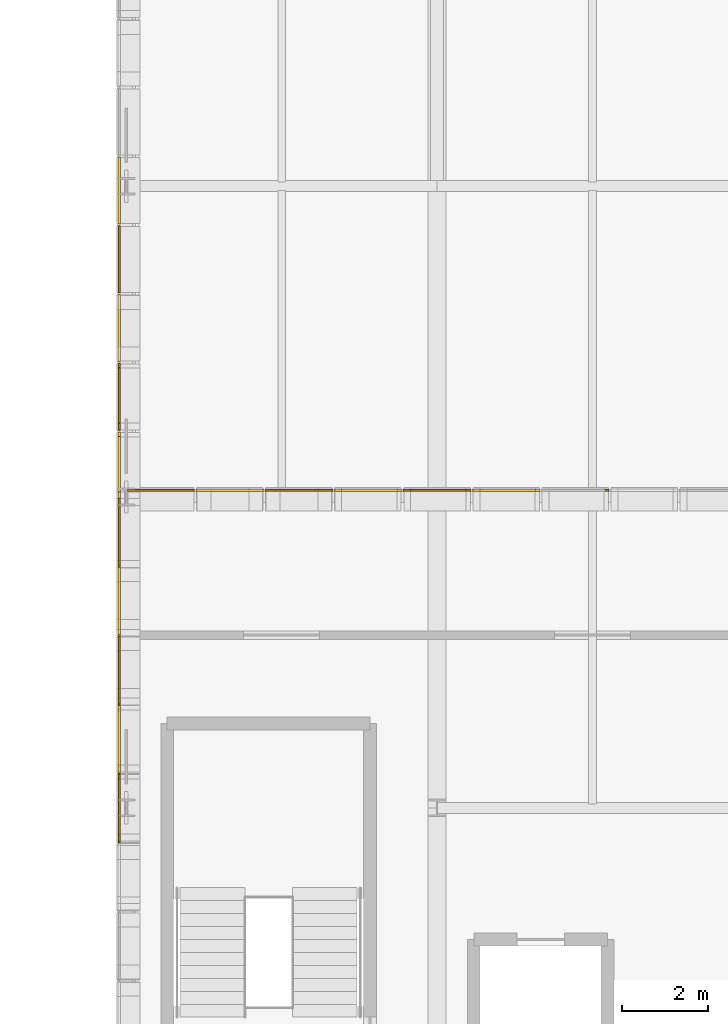
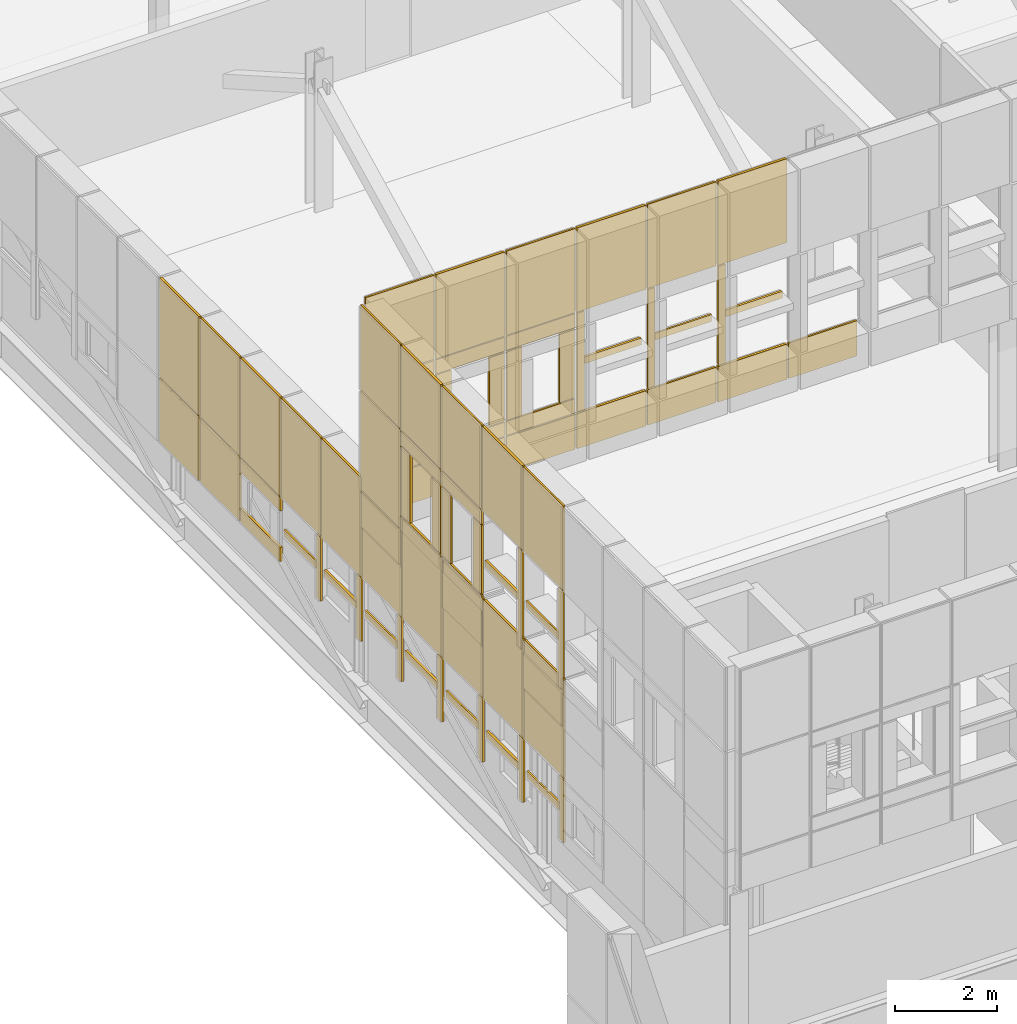
# One storey, part 83 of 96: 79 coverings.
"""IFC4 building model written with IfcOpenShell, lengths in metres."""

from ifc_helpers import new_model, si_unit, direction, frame, origin, origin_2d, place, context, subcontext, project, spatial, rectangle, extrude, material, layer, layer_set, type_object, element, save


model = new_model("IFC4")

# Units and contexts
model_context = context("Model", 3, precision=1e-05, world=origin(), true_north=direction((0.0, 1.0)))
body_context = subcontext(model_context, "Body", "Model", "MODEL_VIEW")
ifc_project = project(units=[si_unit("LENGTHUNIT", "METRE"), si_unit("AREAUNIT", "SQUARE_METRE"), si_unit("VOLUMEUNIT", "CUBIC_METRE"), si_unit("PLANEANGLEUNIT", "RADIAN"), si_unit("MASSUNIT", "GRAM", prefix="KILO")], contexts=[model_context])

# Site, building, storey
site_placement = place(None, origin())
site = spatial("IfcSite", under=ifc_project, at=site_placement, CompositionType="ELEMENT")
building_placement = place(site_placement, origin())
building = spatial("IfcBuilding", under=site, at=building_placement, Name="Yarey Park Central Fire Station", CompositionType="ELEMENT")
storey_placement = place(building_placement, frame((0.0, 0.0, 14.39990234375)))
storey = spatial("IfcBuildingStorey", under=building, at=storey_placement, Name="L04", CompositionType="ELEMENT", Elevation=14.39990234375)

# Coverings
ifc_material = material(Name="Perforated Powder-Coated Aluminium Cladding", Category="aluminium")
ifc_layer_1 = layer(ifc_material, 0.0419921875)
ifc_layer_set_1 = layer_set([ifc_layer_1], Name="Perforated Powder-Coated Aluminium Cladding")
covering_type_1 = type_object("IfcCoveringType", Name="ENV_COV_PERF_1", PredefinedType="CLADDING", material=ifc_layer_set_1)
covering_1_placement = place(storey_placement, frame((28.639892578125, 64.079345703125, 0.864990234375), z_axis=(0.0, 0.0, 1.0), x_axis=(0.0, 1.0, 0.0)))
element("IfcCovering", 1, at=covering_1_placement, inside=storey, type_object=covering_type_1, Name="PERF_L04_0631", PredefinedType="CLADDING", context=body_context, shape_type="SweptSolid", body=[
    extrude(rectangle(XDim=0.159912109375, YDim=0.0419921875, at=origin_2d()), origin(), (0.0, 0.0, 1.0), 1.5400390625),
])
covering_2_placement = place(storey_placement, frame((28.639892578125, 64.765380859375, 1.55517578125), z_axis=(0.0, 0.0, 1.0), x_axis=(0.0, 1.0, 0.0)))
element("IfcCovering", 2, at=covering_2_placement, inside=storey, type_object=covering_type_1, Name="PERF_L04_0632", PredefinedType="CLADDING", context=body_context, shape_type="SweptSolid", body=[
    extrude(rectangle(XDim=1.352294921875, YDim=0.0419921875, at=origin_2d()), origin(), (0.0, 0.0, 1.0), 0.159912109375),
])
covering_3_placement = place(storey_placement, frame((28.639892578125, 64.765380859375, 2.43505859375), z_axis=(0.0, 0.0, 1.0), x_axis=(0.0, 1.0, 0.0)))
element("IfcCovering", 3, at=covering_3_placement, inside=storey, type_object=covering_type_1, Name="PERF_L04_0633", PredefinedType="CLADDING", context=body_context, shape_type="SweptSolid", body=[
    extrude(rectangle(XDim=1.55224609375, YDim=0.0419921875, at=origin_2d()), origin(), (0.0, 0.0, 1.0), 2.3701171875),
])
covering_4_placement = place(storey_placement, frame((28.639892578125, 67.263916015625, 0.864990234375), z_axis=(0.0, 0.0, 1.0), x_axis=(0.0, 1.0, 0.0)))
element("IfcCovering", 4, at=covering_4_placement, inside=storey, type_object=covering_type_1, Name="PERF_L04_0645", PredefinedType="CLADDING", context=body_context, shape_type="SweptSolid", body=[
    extrude(rectangle(XDim=0.159912109375, YDim=0.0419921875, at=origin_2d()), origin(), (0.0, 0.0, 1.0), 1.5400390625),
])
covering_5_placement = place(storey_placement, frame((28.639892578125, 67.949951171875, 1.55517578125), z_axis=(0.0, 0.0, 1.0), x_axis=(0.0, 1.0, 0.0)))
element("IfcCovering", 5, at=covering_5_placement, inside=storey, type_object=covering_type_1, Name="PERF_L04_0646", PredefinedType="CLADDING", context=body_context, shape_type="SweptSolid", body=[
    extrude(rectangle(XDim=1.352294921875, YDim=0.0419921875, at=origin_2d()), origin(), (0.0, 0.0, 1.0), 0.159912109375),
])
covering_6_placement = place(storey_placement, frame((28.639892578125, 67.949951171875, 2.43505859375), z_axis=(0.0, 0.0, 1.0), x_axis=(0.0, 1.0, 0.0)))
element("IfcCovering", 6, at=covering_6_placement, inside=storey, type_object=covering_type_1, Name="PERF_L04_0647", PredefinedType="CLADDING", context=body_context, shape_type="SweptSolid", body=[
    extrude(rectangle(XDim=1.55224609375, YDim=0.0419921875, at=origin_2d()), origin(), (0.0, 0.0, 1.0), 2.3701171875),
])
covering_7_placement = place(storey_placement, frame((28.639892578125, 70.448486328125, 0.864990234375), z_axis=(0.0, 0.0, 1.0), x_axis=(0.0, 1.0, 0.0)))
element("IfcCovering", 7, at=covering_7_placement, inside=storey, type_object=covering_type_1, Name="PERF_L04_0659", PredefinedType="CLADDING", context=body_context, shape_type="SweptSolid", body=[
    extrude(rectangle(XDim=0.159912109375, YDim=0.0419921875, at=origin_2d()), origin(), (0.0, 0.0, 1.0), 1.5400390625),
])
covering_8_placement = place(storey_placement, frame((28.639892578125, 71.134521484375, 1.55517578125), z_axis=(0.0, 0.0, 1.0), x_axis=(0.0, 1.0, 0.0)))
element("IfcCovering", 8, at=covering_8_placement, inside=storey, type_object=covering_type_1, Name="PERF_L04_0660", PredefinedType="CLADDING", context=body_context, shape_type="SweptSolid", body=[
    extrude(rectangle(XDim=1.352294921875, YDim=0.0419921875, at=origin_2d()), origin(), (0.0, 0.0, 1.0), 0.159912109375),
])
covering_9_placement = place(storey_placement, frame((28.639892578125, 71.134521484375, 2.43505859375), z_axis=(0.0, 0.0, 1.0), x_axis=(0.0, 1.0, 0.0)))
element("IfcCovering", 9, at=covering_9_placement, inside=storey, type_object=covering_type_1, Name="PERF_L04_0661", PredefinedType="CLADDING", context=body_context, shape_type="SweptSolid", body=[
    extrude(rectangle(XDim=1.55224609375, YDim=0.0419921875, at=origin_2d()), origin(), (0.0, 0.0, 1.0), 2.3701171875),
])
covering_10_placement = place(storey_placement, frame((28.639892578125, 73.633056640625, 0.864990234375), z_axis=(0.0, 0.0, 1.0), x_axis=(0.0, 1.0, 0.0)))
element("IfcCovering", 10, at=covering_10_placement, inside=storey, type_object=covering_type_1, Name="PERF_L04_0673", PredefinedType="CLADDING", context=body_context, shape_type="SweptSolid", body=[
    extrude(rectangle(XDim=0.159912109375, YDim=0.0419921875, at=origin_2d()), origin(), (0.0, 0.0, 1.0), 1.5400390625),
])
covering_11_placement = place(storey_placement, frame((28.639892578125, 74.319091796875, 1.55517578125), z_axis=(0.0, 0.0, 1.0), x_axis=(0.0, 1.0, 0.0)))
element("IfcCovering", 11, at=covering_11_placement, inside=storey, type_object=covering_type_1, Name="PERF_L04_0674", PredefinedType="CLADDING", context=body_context, shape_type="SweptSolid", body=[
    extrude(rectangle(XDim=1.352294921875, YDim=0.0419921875, at=origin_2d()), origin(), (0.0, 0.0, 1.0), 0.159912109375),
])
covering_12_placement = place(storey_placement, frame((28.639892578125, 74.319091796875, 2.43505859375), z_axis=(0.0, 0.0, 1.0), x_axis=(0.0, 1.0, 0.0)))
element("IfcCovering", 12, at=covering_12_placement, inside=storey, type_object=covering_type_1, Name="PERF_L04_0675", PredefinedType="CLADDING", context=body_context, shape_type="SweptSolid", body=[
    extrude(rectangle(XDim=1.55224609375, YDim=0.0419921875, at=origin_2d()), origin(), (0.0, 0.0, 1.0), 2.3701171875),
])
covering_13_placement = place(storey_placement, frame((28.639892578125, 77.50390625, 0.864990234375), z_axis=(0.0, 0.0, 1.0), x_axis=(0.0, 1.0, 0.0)))
element("IfcCovering", 13, at=covering_13_placement, inside=storey, type_object=covering_type_1, Name="PERF_L04_0690", PredefinedType="CLADDING", context=body_context, shape_type="SweptSolid", body=[
    extrude(rectangle(XDim=1.55224609375, YDim=0.0419921875, at=origin_2d()), origin(), (0.0, 0.0, 1.0), 1.5400390625),
])
covering_14_placement = place(storey_placement, frame((28.639892578125, 77.50390625, 2.43505859375), z_axis=(0.0, 0.0, 1.0), x_axis=(0.0, 1.0, 0.0)))
element("IfcCovering", 14, at=covering_14_placement, inside=storey, type_object=covering_type_1, Name="PERF_L04_0691", PredefinedType="CLADDING", context=body_context, shape_type="SweptSolid", body=[
    extrude(rectangle(XDim=1.55224609375, YDim=0.0419921875, at=origin_2d()), origin(), (0.0, 0.0, 1.0), 2.3701171875),
])
covering_15_placement = place(storey_placement, frame((29.60009765625, 72.159912109375, 3.635009765625), z_axis=(0.0, 0.0, 1.0), x_axis=(1.0, 0.0, 0.0)))
element("IfcCovering", 15, at=covering_15_placement, inside=storey, type_object=covering_type_1, Name="PERF_L04_1200", PredefinedType="CLADDING", context=body_context, shape_type="SweptSolid", body=[
    extrude(rectangle(XDim=1.56005859375, YDim=0.0419921875, at=origin_2d()), origin(), (0.0, 0.0, 1.0), 0.85009765625),
])
covering_16_placement = place(storey_placement, frame((29.60009765625, 72.159912109375, 4.51513671875), z_axis=(0.0, 0.0, 1.0), x_axis=(1.0, 0.0, 0.0)))
element("IfcCovering", 16, at=covering_16_placement, inside=storey, type_object=covering_type_1, Name="PERF_L04_1201", PredefinedType="CLADDING", context=body_context, shape_type="SweptSolid", body=[
    extrude(rectangle(XDim=1.56005859375, YDim=0.0419921875, at=origin_2d()), origin(), (0.0, 0.0, 1.0), 2.3701171875),
])
covering_17_placement = place(storey_placement, frame((29.60009765625, 72.159912109375, 6.9150390625), z_axis=(0.0, 0.0, 1.0), x_axis=(1.0, 0.0, 0.0)))
element("IfcCovering", 17, at=covering_17_placement, inside=storey, type_object=covering_type_1, Name="PERF_L04_1202", PredefinedType="CLADDING", context=body_context, shape_type="SweptSolid", body=[
    extrude(rectangle(XDim=1.56005859375, YDim=0.0419921875, at=origin_2d()), origin(), (0.0, 0.0, 1.0), 2.02001953125),
])
covering_18_placement = place(storey_placement, frame((32.800048828125, 72.159912109375, 3.635009765625), z_axis=(0.0, 0.0, 1.0), x_axis=(1.0, 0.0, 0.0)))
element("IfcCovering", 18, at=covering_18_placement, inside=storey, type_object=covering_type_1, Name="PERF_L04_1209", PredefinedType="CLADDING", context=body_context, shape_type="SweptSolid", body=[
    extrude(rectangle(XDim=1.56005859375, YDim=0.0419921875, at=origin_2d()), origin(), (0.0, 0.0, 1.0), 0.85009765625),
])
for number, where, z_axis, x_axis, name in (
    (19, (32.800048828125, 72.159912109375, 4.51025390625), (0.0, 0.0, 1.0), (1.0, 0.0, 0.0), "PERF_L04_1210"),
    (20, (32.800048828125, 72.159912109375, 6.55029296875), (0.0, 0.0, 1.0), (1.0, 0.0, 0.0), "PERF_L04_1211"),
):
    element("IfcCovering", number, at=place(storey_placement, frame(where, z_axis=z_axis, x_axis=x_axis)), inside=storey, type_object=covering_type_1, Name=name, PredefinedType="CLADDING", context=body_context, shape_type="SweptSolid", body=[
        extrude(rectangle(XDim=1.56005859375, YDim=0.0419921875, at=origin_2d()), origin(), (0.0, 0.0, 1.0), 0.340087890625),
    ])
for number, where, z_axis, x_axis, name in (
    (21, (32.199951171875, 72.159912109375, 4.875244140625), (0.0, 0.0, 1.0), (1.0, 0.0, 0.0), "PERF_L04_1212"),
    (22, (33.39990234375, 72.159912109375, 4.875244140625), (0.0, 0.0, 1.0), (1.0, 0.0, 0.0), "PERF_L04_1213"),
):
    element("IfcCovering", number, at=place(storey_placement, frame(where, z_axis=z_axis, x_axis=x_axis)), inside=storey, type_object=covering_type_1, Name=name, PredefinedType="CLADDING", context=body_context, shape_type="SweptSolid", body=[
        extrude(rectangle(XDim=0.340087890625, YDim=0.0419921875, at=origin_2d()), origin(), (0.0, 0.0, 1.0), 1.64990234375),
    ])
covering_19_placement = place(storey_placement, frame((32.800048828125, 72.159912109375, 6.9150390625), z_axis=(0.0, 0.0, 1.0), x_axis=(1.0, 0.0, 0.0)))
element("IfcCovering", 23, at=covering_19_placement, inside=storey, type_object=covering_type_1, Name="PERF_L04_1214", PredefinedType="CLADDING", context=body_context, shape_type="SweptSolid", body=[
    extrude(rectangle(XDim=1.56005859375, YDim=0.0419921875, at=origin_2d()), origin(), (0.0, 0.0, 1.0), 2.02001953125),
])
covering_20_placement = place(storey_placement, frame((36.0, 72.159912109375, 3.635009765625), z_axis=(0.0, 0.0, 1.0), x_axis=(1.0, 0.0, 0.0)))
element("IfcCovering", 24, at=covering_20_placement, inside=storey, type_object=covering_type_1, Name="PERF_L04_1219", PredefinedType="CLADDING", context=body_context, shape_type="SweptSolid", body=[
    extrude(rectangle(XDim=1.56005859375, YDim=0.0419921875, at=origin_2d()), origin(), (0.0, 0.0, 1.0), 0.85009765625),
])
covering_21_placement = place(storey_placement, frame((35.31005859375, 72.159912109375, 4.51513671875), z_axis=(0.0, 0.0, 1.0), x_axis=(1.0, 0.0, 0.0)))
element("IfcCovering", 25, at=covering_21_placement, inside=storey, type_object=covering_type_1, Name="PERF_L04_1220", PredefinedType="CLADDING", context=body_context, shape_type="SweptSolid", body=[
    extrude(rectangle(XDim=0.159912109375, YDim=0.0419921875, at=origin_2d()), origin(), (0.0, 0.0, 1.0), 2.3701171875),
])
covering_22_placement = place(storey_placement, frame((36.0, 72.159912109375, 5.6201171875), z_axis=(0.0, 0.0, 1.0), x_axis=(1.0, 0.0, 0.0)))
element("IfcCovering", 26, at=covering_22_placement, inside=storey, type_object=covering_type_1, Name="PERF_L04_1221", PredefinedType="CLADDING", context=body_context, shape_type="SweptSolid", body=[
    extrude(rectangle(XDim=1.360107421875, YDim=0.0419921875, at=origin_2d()), origin(), (0.0, 0.0, 1.0), 0.159912109375),
])
covering_23_placement = place(storey_placement, frame((36.0, 72.159912109375, 6.9150390625), z_axis=(0.0, 0.0, 1.0), x_axis=(1.0, 0.0, 0.0)))
element("IfcCovering", 27, at=covering_23_placement, inside=storey, type_object=covering_type_1, Name="PERF_L04_1222", PredefinedType="CLADDING", context=body_context, shape_type="SweptSolid", body=[
    extrude(rectangle(XDim=1.56005859375, YDim=0.0419921875, at=origin_2d()), origin(), (0.0, 0.0, 1.0), 2.02001953125),
])
for number, where, z_axis, x_axis, name in (
    (28, (39.199951171875, 72.159912109375, 3.635009765625), (0.0, 0.0, 1.0), (1.0, 0.0, 0.0), "PERF_L04_1227"),
    (29, (28.639892578125, 64.800048828125, 3.635009765625), (0.0, 0.0, 1.0), (0.0, 1.0, 0.0), "PERF_L04_1297"),
):
    element("IfcCovering", number, at=place(storey_placement, frame(where, z_axis=z_axis, x_axis=x_axis)), inside=storey, type_object=covering_type_1, Name=name, PredefinedType="CLADDING", context=body_context, shape_type="SweptSolid", body=[
        extrude(rectangle(XDim=1.56005859375, YDim=0.0419921875, at=origin_2d()), origin(), (0.0, 0.0, 1.0), 0.85009765625),
    ])
covering_24_placement = place(storey_placement, frame((28.639892578125, 64.110107421875, 4.51513671875), z_axis=(0.0, 0.0, 1.0), x_axis=(0.0, 1.0, 0.0)))
element("IfcCovering", 30, at=covering_24_placement, inside=storey, type_object=covering_type_1, Name="PERF_L04_1298", PredefinedType="CLADDING", context=body_context, shape_type="SweptSolid", body=[
    extrude(rectangle(XDim=0.159912109375, YDim=0.0419921875, at=origin_2d()), origin(), (0.0, 0.0, 1.0), 2.3701171875),
])
covering_25_placement = place(storey_placement, frame((28.639892578125, 64.800048828125, 5.6201171875), z_axis=(0.0, 0.0, 1.0), x_axis=(0.0, 1.0, 0.0)))
element("IfcCovering", 31, at=covering_25_placement, inside=storey, type_object=covering_type_1, Name="PERF_L04_1299", PredefinedType="CLADDING", context=body_context, shape_type="SweptSolid", body=[
    extrude(rectangle(XDim=1.360107421875, YDim=0.0419921875, at=origin_2d()), origin(), (0.0, 0.0, 1.0), 0.159912109375),
])
covering_26_placement = place(storey_placement, frame((28.639892578125, 64.800048828125, 6.9150390625), z_axis=(0.0, 0.0, 1.0), x_axis=(0.0, 1.0, 0.0)))
element("IfcCovering", 32, at=covering_26_placement, inside=storey, type_object=covering_type_1, Name="PERF_L04_1300", PredefinedType="CLADDING", context=body_context, shape_type="SweptSolid", body=[
    extrude(rectangle(XDim=1.56005859375, YDim=0.0419921875, at=origin_2d()), origin(), (0.0, 0.0, 1.0), 2.02001953125),
])
covering_27_placement = place(storey_placement, frame((28.639892578125, 68.0, 3.635009765625), z_axis=(0.0, 0.0, 1.0), x_axis=(0.0, 1.0, 0.0)))
element("IfcCovering", 33, at=covering_27_placement, inside=storey, type_object=covering_type_1, Name="PERF_L04_1305", PredefinedType="CLADDING", context=body_context, shape_type="SweptSolid", body=[
    extrude(rectangle(XDim=1.56005859375, YDim=0.0419921875, at=origin_2d()), origin(), (0.0, 0.0, 1.0), 0.85009765625),
])
for number, where, z_axis, x_axis, name in (
    (34, (28.639892578125, 68.0, 4.51025390625), (0.0, 0.0, 1.0), (0.0, 1.0, 0.0), "PERF_L04_1306"),
    (35, (28.639892578125, 68.0, 6.55029296875), (0.0, 0.0, 1.0), (0.0, 1.0, 0.0), "PERF_L04_1307"),
):
    element("IfcCovering", number, at=place(storey_placement, frame(where, z_axis=z_axis, x_axis=x_axis)), inside=storey, type_object=covering_type_1, Name=name, PredefinedType="CLADDING", context=body_context, shape_type="SweptSolid", body=[
        extrude(rectangle(XDim=1.56005859375, YDim=0.0419921875, at=origin_2d()), origin(), (0.0, 0.0, 1.0), 0.340087890625),
    ])
for number, where, z_axis, x_axis, name in (
    (36, (28.639892578125, 67.39990234375, 4.875244140625), (0.0, 0.0, 1.0), (0.0, 1.0, 0.0), "PERF_L04_1308"),
    (37, (28.639892578125, 68.60009765625, 4.875244140625), (0.0, 0.0, 1.0), (0.0, 1.0, 0.0), "PERF_L04_1309"),
):
    element("IfcCovering", number, at=place(storey_placement, frame(where, z_axis=z_axis, x_axis=x_axis)), inside=storey, type_object=covering_type_1, Name=name, PredefinedType="CLADDING", context=body_context, shape_type="SweptSolid", body=[
        extrude(rectangle(XDim=0.340087890625, YDim=0.0419921875, at=origin_2d()), origin(), (0.0, 0.0, 1.0), 1.64990234375),
    ])
covering_28_placement = place(storey_placement, frame((28.639892578125, 68.0, 6.9150390625), z_axis=(0.0, 0.0, 1.0), x_axis=(0.0, 1.0, 0.0)))
element("IfcCovering", 38, at=covering_28_placement, inside=storey, type_object=covering_type_1, Name="PERF_L04_1310", PredefinedType="CLADDING", context=body_context, shape_type="SweptSolid", body=[
    extrude(rectangle(XDim=1.56005859375, YDim=0.0419921875, at=origin_2d()), origin(), (0.0, 0.0, 1.0), 2.02001953125),
])
covering_29_placement = place(storey_placement, frame((28.639892578125, 71.199951171875, 3.635009765625), z_axis=(0.0, 0.0, 1.0), x_axis=(0.0, 1.0, 0.0)))
element("IfcCovering", 39, at=covering_29_placement, inside=storey, type_object=covering_type_1, Name="PERF_L04_1317", PredefinedType="CLADDING", context=body_context, shape_type="SweptSolid", body=[
    extrude(rectangle(XDim=1.56005859375, YDim=0.0419921875, at=origin_2d()), origin(), (0.0, 0.0, 1.0), 0.85009765625),
])
covering_30_placement = place(storey_placement, frame((28.639892578125, 71.199951171875, 4.51513671875), z_axis=(0.0, 0.0, 1.0), x_axis=(0.0, 1.0, 0.0)))
element("IfcCovering", 40, at=covering_30_placement, inside=storey, type_object=covering_type_1, Name="PERF_L04_1318", PredefinedType="CLADDING", context=body_context, shape_type="SweptSolid", body=[
    extrude(rectangle(XDim=1.56005859375, YDim=0.0419921875, at=origin_2d()), origin(), (0.0, 0.0, 1.0), 2.3701171875),
])
covering_31_placement = place(storey_placement, frame((28.639892578125, 71.199951171875, 6.9150390625), z_axis=(0.0, 0.0, 1.0), x_axis=(0.0, 1.0, 0.0)))
element("IfcCovering", 41, at=covering_31_placement, inside=storey, type_object=covering_type_1, Name="PERF_L04_1319", PredefinedType="CLADDING", context=body_context, shape_type="SweptSolid", body=[
    extrude(rectangle(XDim=1.56005859375, YDim=0.0419921875, at=origin_2d()), origin(), (0.0, 0.0, 1.0), 2.02001953125),
])
ifc_layer_2 = layer(ifc_material, 0.053955078125)
ifc_layer_set_2 = layer_set([ifc_layer_2], Name="Perforated Powder-Coated Aluminium Cladding")
covering_type_2 = type_object("IfcCoveringType", Name="ENV_COV_PERF_2", PredefinedType="CLADDING", material=ifc_layer_set_2)
covering_32_placement = place(storey_placement, frame((28.639892578125, 65.67138671875, 0.864990234375), z_axis=(0.0, 0.0, 1.0), x_axis=(0.0, 1.0, 0.0)))
element("IfcCovering", 42, at=covering_32_placement, inside=storey, type_object=covering_type_2, Name="PERF_L04_0638", PredefinedType="CLADDING", context=body_context, shape_type="SweptSolid", body=[
    extrude(rectangle(XDim=0.159912109375, YDim=0.053955078125, at=origin_2d()), origin(), (0.0, 0.0, 1.0), 1.5400390625),
])
covering_33_placement = place(storey_placement, frame((28.639892578125, 66.357666015625, 1.55517578125), z_axis=(0.0, 0.0, 1.0), x_axis=(0.0, 1.0, 0.0)))
element("IfcCovering", 43, at=covering_33_placement, inside=storey, type_object=covering_type_2, Name="PERF_L04_0639", PredefinedType="CLADDING", context=body_context, shape_type="SweptSolid", body=[
    extrude(rectangle(XDim=1.352294921875, YDim=0.053955078125, at=origin_2d()), origin(), (0.0, 0.0, 1.0), 0.159912109375),
])
covering_34_placement = place(storey_placement, frame((28.639892578125, 66.357666015625, 2.43505859375), z_axis=(0.0, 0.0, 1.0), x_axis=(0.0, 1.0, 0.0)))
element("IfcCovering", 44, at=covering_34_placement, inside=storey, type_object=covering_type_2, Name="PERF_L04_0640", PredefinedType="CLADDING", context=body_context, shape_type="SweptSolid", body=[
    extrude(rectangle(XDim=1.55224609375, YDim=0.053955078125, at=origin_2d()), origin(), (0.0, 0.0, 1.0), 2.3701171875),
])
covering_35_placement = place(storey_placement, frame((28.639892578125, 68.856201171875, 0.864990234375), z_axis=(0.0, 0.0, 1.0), x_axis=(0.0, 1.0, 0.0)))
element("IfcCovering", 45, at=covering_35_placement, inside=storey, type_object=covering_type_2, Name="PERF_L04_0652", PredefinedType="CLADDING", context=body_context, shape_type="SweptSolid", body=[
    extrude(rectangle(XDim=0.159912109375, YDim=0.053955078125, at=origin_2d()), origin(), (0.0, 0.0, 1.0), 1.5400390625),
])
covering_36_placement = place(storey_placement, frame((28.639892578125, 69.542236328125, 1.55517578125), z_axis=(0.0, 0.0, 1.0), x_axis=(0.0, 1.0, 0.0)))
element("IfcCovering", 46, at=covering_36_placement, inside=storey, type_object=covering_type_2, Name="PERF_L04_0653", PredefinedType="CLADDING", context=body_context, shape_type="SweptSolid", body=[
    extrude(rectangle(XDim=1.352294921875, YDim=0.053955078125, at=origin_2d()), origin(), (0.0, 0.0, 1.0), 0.159912109375),
])
covering_37_placement = place(storey_placement, frame((28.639892578125, 69.542236328125, 2.43505859375), z_axis=(0.0, 0.0, 1.0), x_axis=(0.0, 1.0, 0.0)))
element("IfcCovering", 47, at=covering_37_placement, inside=storey, type_object=covering_type_2, Name="PERF_L04_0654", PredefinedType="CLADDING", context=body_context, shape_type="SweptSolid", body=[
    extrude(rectangle(XDim=1.55224609375, YDim=0.053955078125, at=origin_2d()), origin(), (0.0, 0.0, 1.0), 2.3701171875),
])
covering_38_placement = place(storey_placement, frame((28.639892578125, 72.040771484375, 0.864990234375), z_axis=(0.0, 0.0, 1.0), x_axis=(0.0, 1.0, 0.0)))
element("IfcCovering", 48, at=covering_38_placement, inside=storey, type_object=covering_type_2, Name="PERF_L04_0666", PredefinedType="CLADDING", context=body_context, shape_type="SweptSolid", body=[
    extrude(rectangle(XDim=0.159912109375, YDim=0.053955078125, at=origin_2d()), origin(), (0.0, 0.0, 1.0), 1.5400390625),
])
covering_39_placement = place(storey_placement, frame((28.639892578125, 72.726806640625, 1.55517578125), z_axis=(0.0, 0.0, 1.0), x_axis=(0.0, 1.0, 0.0)))
element("IfcCovering", 49, at=covering_39_placement, inside=storey, type_object=covering_type_2, Name="PERF_L04_0667", PredefinedType="CLADDING", context=body_context, shape_type="SweptSolid", body=[
    extrude(rectangle(XDim=1.352294921875, YDim=0.053955078125, at=origin_2d()), origin(), (0.0, 0.0, 1.0), 0.159912109375),
])
covering_40_placement = place(storey_placement, frame((28.639892578125, 72.726806640625, 2.43505859375), z_axis=(0.0, 0.0, 1.0), x_axis=(0.0, 1.0, 0.0)))
element("IfcCovering", 50, at=covering_40_placement, inside=storey, type_object=covering_type_2, Name="PERF_L04_0668", PredefinedType="CLADDING", context=body_context, shape_type="SweptSolid", body=[
    extrude(rectangle(XDim=1.55224609375, YDim=0.053955078125, at=origin_2d()), origin(), (0.0, 0.0, 1.0), 2.3701171875),
])
for number, where, z_axis, x_axis, name in (
    (51, (28.639892578125, 75.91162109375, 0.85986328125), (0.0, 0.0, 1.0), (0.0, 1.0, 0.0), "PERF_L04_0682"),
    (52, (28.639892578125, 75.91162109375, 2.06982421875), (0.0, 0.0, 1.0), (0.0, 1.0, 0.0), "PERF_L04_0683"),
):
    element("IfcCovering", number, at=place(storey_placement, frame(where, z_axis=z_axis, x_axis=x_axis)), inside=storey, type_object=covering_type_2, Name=name, PredefinedType="CLADDING", context=body_context, shape_type="SweptSolid", body=[
        extrude(rectangle(XDim=1.55224609375, YDim=0.053955078125, at=origin_2d()), origin(), (0.0, 0.0, 1.0), 0.340087890625),
    ])
covering_41_placement = place(storey_placement, frame((28.639892578125, 75.91162109375, 2.43505859375), z_axis=(0.0, 0.0, 1.0), x_axis=(0.0, 1.0, 0.0)))
element("IfcCovering", 53, at=covering_41_placement, inside=storey, type_object=covering_type_2, Name="PERF_L04_0686", PredefinedType="CLADDING", context=body_context, shape_type="SweptSolid", body=[
    extrude(rectangle(XDim=1.55224609375, YDim=0.053955078125, at=origin_2d()), origin(), (0.0, 0.0, 1.0), 2.3701171875),
])
covering_42_placement = place(storey_placement, frame((28.639892578125, 79.09619140625, 0.864990234375), z_axis=(0.0, 0.0, 1.0), x_axis=(0.0, 1.0, 0.0)))
element("IfcCovering", 54, at=covering_42_placement, inside=storey, type_object=covering_type_2, Name="PERF_L04_0695", PredefinedType="CLADDING", context=body_context, shape_type="SweptSolid", body=[
    extrude(rectangle(XDim=1.55224609375, YDim=0.053955078125, at=origin_2d()), origin(), (0.0, 0.0, 1.0), 1.5400390625),
])
covering_43_placement = place(storey_placement, frame((28.639892578125, 79.09619140625, 2.43505859375), z_axis=(0.0, 0.0, 1.0), x_axis=(0.0, 1.0, 0.0)))
element("IfcCovering", 55, at=covering_43_placement, inside=storey, type_object=covering_type_2, Name="PERF_L04_0696", PredefinedType="CLADDING", context=body_context, shape_type="SweptSolid", body=[
    extrude(rectangle(XDim=1.55224609375, YDim=0.053955078125, at=origin_2d()), origin(), (0.0, 0.0, 1.0), 2.3701171875),
])
covering_44_placement = place(storey_placement, frame((31.199951171875, 72.159912109375, 3.635009765625), z_axis=(0.0, 0.0, 1.0), x_axis=(1.0, 0.0, 0.0)))
element("IfcCovering", 56, at=covering_44_placement, inside=storey, type_object=covering_type_2, Name="PERF_L04_1203", PredefinedType="CLADDING", context=body_context, shape_type="SweptSolid", body=[
    extrude(rectangle(XDim=1.56005859375, YDim=0.053955078125, at=origin_2d()), origin(), (0.0, 0.0, 1.0), 0.85009765625),
])
for number, where, z_axis, x_axis, name in (
    (57, (31.199951171875, 72.159912109375, 4.51025390625), (0.0, 0.0, 1.0), (1.0, 0.0, 0.0), "PERF_L04_1204"),
    (58, (31.199951171875, 72.159912109375, 6.55029296875), (0.0, 0.0, 1.0), (1.0, 0.0, 0.0), "PERF_L04_1205"),
):
    element("IfcCovering", number, at=place(storey_placement, frame(where, z_axis=z_axis, x_axis=x_axis)), inside=storey, type_object=covering_type_2, Name=name, PredefinedType="CLADDING", context=body_context, shape_type="SweptSolid", body=[
        extrude(rectangle(XDim=1.56005859375, YDim=0.053955078125, at=origin_2d()), origin(), (0.0, 0.0, 1.0), 0.340087890625),
    ])
for number, where, z_axis, x_axis, name in (
    (59, (30.60009765625, 72.159912109375, 4.875244140625), (0.0, 0.0, 1.0), (1.0, 0.0, 0.0), "PERF_L04_1206"),
    (60, (31.800048828125, 72.159912109375, 4.875244140625), (0.0, 0.0, 1.0), (1.0, 0.0, 0.0), "PERF_L04_1207"),
):
    element("IfcCovering", number, at=place(storey_placement, frame(where, z_axis=z_axis, x_axis=x_axis)), inside=storey, type_object=covering_type_2, Name=name, PredefinedType="CLADDING", context=body_context, shape_type="SweptSolid", body=[
        extrude(rectangle(XDim=0.340087890625, YDim=0.053955078125, at=origin_2d()), origin(), (0.0, 0.0, 1.0), 1.64990234375),
    ])
covering_45_placement = place(storey_placement, frame((31.199951171875, 72.159912109375, 6.9150390625), z_axis=(0.0, 0.0, 1.0), x_axis=(1.0, 0.0, 0.0)))
element("IfcCovering", 61, at=covering_45_placement, inside=storey, type_object=covering_type_2, Name="PERF_L04_1208", PredefinedType="CLADDING", context=body_context, shape_type="SweptSolid", body=[
    extrude(rectangle(XDim=1.56005859375, YDim=0.053955078125, at=origin_2d()), origin(), (0.0, 0.0, 1.0), 2.02001953125),
])
covering_46_placement = place(storey_placement, frame((34.39990234375, 72.159912109375, 3.635009765625), z_axis=(0.0, 0.0, 1.0), x_axis=(1.0, 0.0, 0.0)))
element("IfcCovering", 62, at=covering_46_placement, inside=storey, type_object=covering_type_2, Name="PERF_L04_1215", PredefinedType="CLADDING", context=body_context, shape_type="SweptSolid", body=[
    extrude(rectangle(XDim=1.56005859375, YDim=0.053955078125, at=origin_2d()), origin(), (0.0, 0.0, 1.0), 0.85009765625),
])
covering_47_placement = place(storey_placement, frame((33.7099609375, 72.159912109375, 4.51513671875), z_axis=(0.0, 0.0, 1.0), x_axis=(1.0, 0.0, 0.0)))
element("IfcCovering", 63, at=covering_47_placement, inside=storey, type_object=covering_type_2, Name="PERF_L04_1216", PredefinedType="CLADDING", context=body_context, shape_type="SweptSolid", body=[
    extrude(rectangle(XDim=0.159912109375, YDim=0.053955078125, at=origin_2d()), origin(), (0.0, 0.0, 1.0), 2.3701171875),
])
covering_48_placement = place(storey_placement, frame((34.39990234375, 72.159912109375, 5.6201171875), z_axis=(0.0, 0.0, 1.0), x_axis=(1.0, 0.0, 0.0)))
element("IfcCovering", 64, at=covering_48_placement, inside=storey, type_object=covering_type_2, Name="PERF_L04_1217", PredefinedType="CLADDING", context=body_context, shape_type="SweptSolid", body=[
    extrude(rectangle(XDim=1.360107421875, YDim=0.053955078125, at=origin_2d()), origin(), (0.0, 0.0, 1.0), 0.159912109375),
])
covering_49_placement = place(storey_placement, frame((34.39990234375, 72.159912109375, 6.9150390625), z_axis=(0.0, 0.0, 1.0), x_axis=(1.0, 0.0, 0.0)))
element("IfcCovering", 65, at=covering_49_placement, inside=storey, type_object=covering_type_2, Name="PERF_L04_1218", PredefinedType="CLADDING", context=body_context, shape_type="SweptSolid", body=[
    extrude(rectangle(XDim=1.56005859375, YDim=0.053955078125, at=origin_2d()), origin(), (0.0, 0.0, 1.0), 2.02001953125),
])
covering_50_placement = place(storey_placement, frame((37.60009765625, 72.159912109375, 3.635009765625), z_axis=(0.0, 0.0, 1.0), x_axis=(1.0, 0.0, 0.0)))
element("IfcCovering", 66, at=covering_50_placement, inside=storey, type_object=covering_type_2, Name="PERF_L04_1223", PredefinedType="CLADDING", context=body_context, shape_type="SweptSolid", body=[
    extrude(rectangle(XDim=1.56005859375, YDim=0.053955078125, at=origin_2d()), origin(), (0.0, 0.0, 1.0), 0.85009765625),
])
covering_51_placement = place(storey_placement, frame((36.909912109375, 72.159912109375, 4.51513671875), z_axis=(0.0, 0.0, 1.0), x_axis=(1.0, 0.0, 0.0)))
element("IfcCovering", 67, at=covering_51_placement, inside=storey, type_object=covering_type_2, Name="PERF_L04_1224", PredefinedType="CLADDING", context=body_context, shape_type="SweptSolid", body=[
    extrude(rectangle(XDim=0.159912109375, YDim=0.053955078125, at=origin_2d()), origin(), (0.0, 0.0, 1.0), 2.3701171875),
])
covering_52_placement = place(storey_placement, frame((37.60009765625, 72.159912109375, 5.6201171875), z_axis=(0.0, 0.0, 1.0), x_axis=(1.0, 0.0, 0.0)))
element("IfcCovering", 68, at=covering_52_placement, inside=storey, type_object=covering_type_2, Name="PERF_L04_1225", PredefinedType="CLADDING", context=body_context, shape_type="SweptSolid", body=[
    extrude(rectangle(XDim=1.360107421875, YDim=0.053955078125, at=origin_2d()), origin(), (0.0, 0.0, 1.0), 0.159912109375),
])
covering_53_placement = place(storey_placement, frame((37.60009765625, 72.159912109375, 6.9150390625), z_axis=(0.0, 0.0, 1.0), x_axis=(1.0, 0.0, 0.0)))
element("IfcCovering", 69, at=covering_53_placement, inside=storey, type_object=covering_type_2, Name="PERF_L04_1226", PredefinedType="CLADDING", context=body_context, shape_type="SweptSolid", body=[
    extrude(rectangle(XDim=1.56005859375, YDim=0.053955078125, at=origin_2d()), origin(), (0.0, 0.0, 1.0), 2.02001953125),
])
covering_54_placement = place(storey_placement, frame((28.639892578125, 66.39990234375, 3.635009765625), z_axis=(0.0, 0.0, 1.0), x_axis=(0.0, 1.0, 0.0)))
element("IfcCovering", 70, at=covering_54_placement, inside=storey, type_object=covering_type_2, Name="PERF_L04_1301", PredefinedType="CLADDING", context=body_context, shape_type="SweptSolid", body=[
    extrude(rectangle(XDim=1.56005859375, YDim=0.053955078125, at=origin_2d()), origin(), (0.0, 0.0, 1.0), 0.85009765625),
])
covering_55_placement = place(storey_placement, frame((28.639892578125, 65.7099609375, 4.51513671875), z_axis=(0.0, 0.0, 1.0), x_axis=(0.0, 1.0, 0.0)))
element("IfcCovering", 71, at=covering_55_placement, inside=storey, type_object=covering_type_2, Name="PERF_L04_1302", PredefinedType="CLADDING", context=body_context, shape_type="SweptSolid", body=[
    extrude(rectangle(XDim=0.159912109375, YDim=0.053955078125, at=origin_2d()), origin(), (0.0, 0.0, 1.0), 2.3701171875),
])
covering_56_placement = place(storey_placement, frame((28.639892578125, 66.39990234375, 5.6201171875), z_axis=(0.0, 0.0, 1.0), x_axis=(0.0, 1.0, 0.0)))
element("IfcCovering", 72, at=covering_56_placement, inside=storey, type_object=covering_type_2, Name="PERF_L04_1303", PredefinedType="CLADDING", context=body_context, shape_type="SweptSolid", body=[
    extrude(rectangle(XDim=1.360107421875, YDim=0.053955078125, at=origin_2d()), origin(), (0.0, 0.0, 1.0), 0.159912109375),
])
covering_57_placement = place(storey_placement, frame((28.639892578125, 66.39990234375, 6.9150390625), z_axis=(0.0, 0.0, 1.0), x_axis=(0.0, 1.0, 0.0)))
element("IfcCovering", 73, at=covering_57_placement, inside=storey, type_object=covering_type_2, Name="PERF_L04_1304", PredefinedType="CLADDING", context=body_context, shape_type="SweptSolid", body=[
    extrude(rectangle(XDim=1.56005859375, YDim=0.053955078125, at=origin_2d()), origin(), (0.0, 0.0, 1.0), 2.02001953125),
])
covering_58_placement = place(storey_placement, frame((28.639892578125, 69.60009765625, 3.635009765625), z_axis=(0.0, 0.0, 1.0), x_axis=(0.0, 1.0, 0.0)))
element("IfcCovering", 74, at=covering_58_placement, inside=storey, type_object=covering_type_2, Name="PERF_L04_1311", PredefinedType="CLADDING", context=body_context, shape_type="SweptSolid", body=[
    extrude(rectangle(XDim=1.56005859375, YDim=0.053955078125, at=origin_2d()), origin(), (0.0, 0.0, 1.0), 0.85009765625),
])
for number, where, z_axis, x_axis, name in (
    (75, (28.639892578125, 69.60009765625, 4.51025390625), (0.0, 0.0, 1.0), (0.0, 1.0, 0.0), "PERF_L04_1312"),
    (76, (28.639892578125, 69.60009765625, 6.55029296875), (0.0, 0.0, 1.0), (0.0, 1.0, 0.0), "PERF_L04_1313"),
):
    element("IfcCovering", number, at=place(storey_placement, frame(where, z_axis=z_axis, x_axis=x_axis)), inside=storey, type_object=covering_type_2, Name=name, PredefinedType="CLADDING", context=body_context, shape_type="SweptSolid", body=[
        extrude(rectangle(XDim=1.56005859375, YDim=0.053955078125, at=origin_2d()), origin(), (0.0, 0.0, 1.0), 0.340087890625),
    ])
for number, where, z_axis, x_axis, name in (
    (77, (28.639892578125, 69.0, 4.875244140625), (0.0, 0.0, 1.0), (0.0, 1.0, 0.0), "PERF_L04_1314"),
    (78, (28.639892578125, 70.199951171875, 4.875244140625), (0.0, 0.0, 1.0), (0.0, 1.0, 0.0), "PERF_L04_1315"),
):
    element("IfcCovering", number, at=place(storey_placement, frame(where, z_axis=z_axis, x_axis=x_axis)), inside=storey, type_object=covering_type_2, Name=name, PredefinedType="CLADDING", context=body_context, shape_type="SweptSolid", body=[
        extrude(rectangle(XDim=0.340087890625, YDim=0.053955078125, at=origin_2d()), origin(), (0.0, 0.0, 1.0), 1.64990234375),
    ])
covering_59_placement = place(storey_placement, frame((28.639892578125, 69.60009765625, 6.9150390625), z_axis=(0.0, 0.0, 1.0), x_axis=(0.0, 1.0, 0.0)))
element("IfcCovering", 79, at=covering_59_placement, inside=storey, type_object=covering_type_2, Name="PERF_L04_1316", PredefinedType="CLADDING", context=body_context, shape_type="SweptSolid", body=[
    extrude(rectangle(XDim=1.56005859375, YDim=0.053955078125, at=origin_2d()), origin(), (0.0, 0.0, 1.0), 2.02001953125),
])

save(model, "model.ifc")
